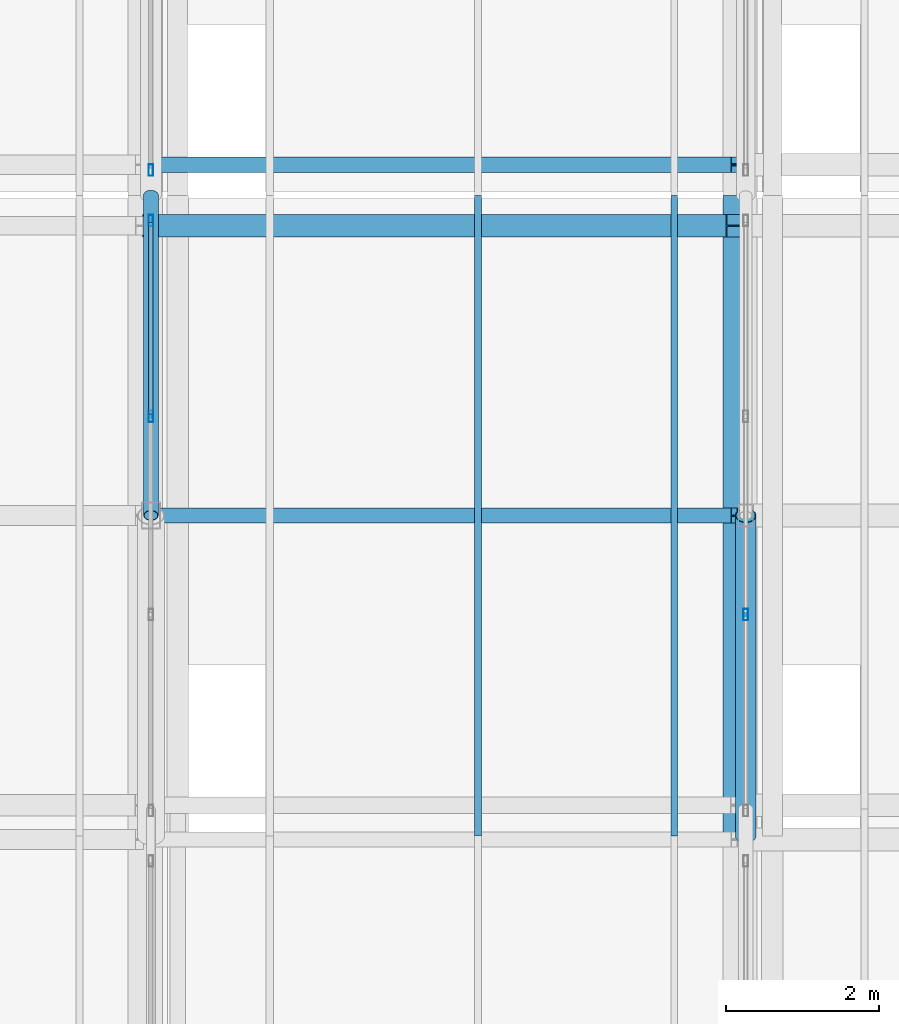
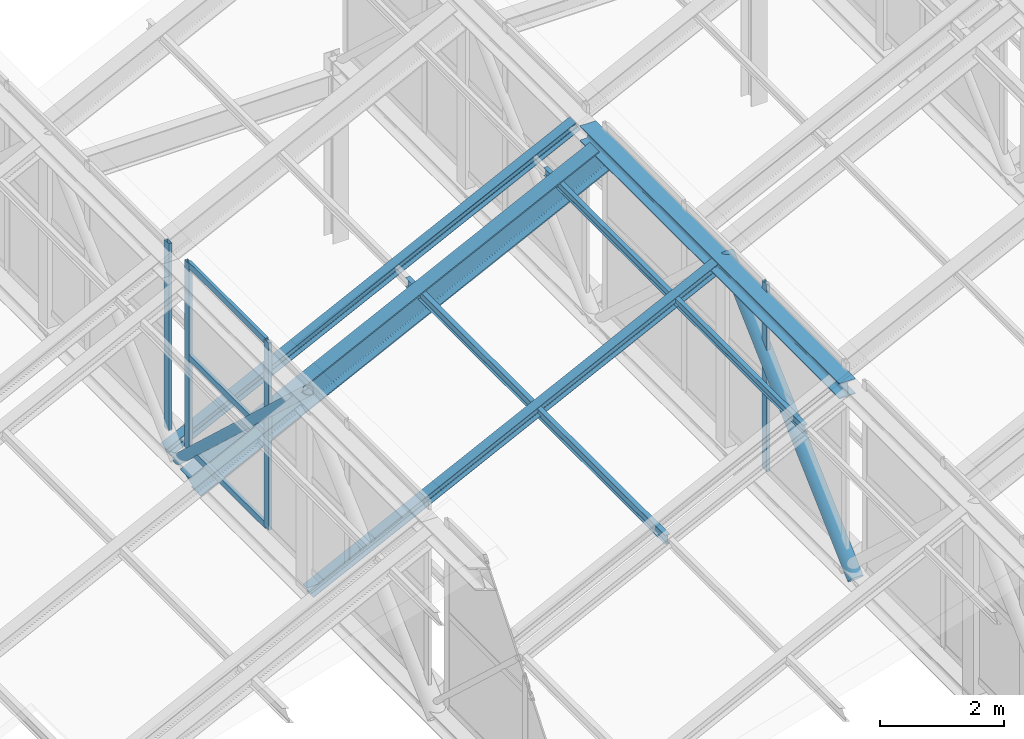
# One storey, part 30 of 101: 15 members, 3 elements without a shape of their own.
"""IFC4 building model written with IfcOpenShell, lengths in metres."""

from ifc_helpers import new_model, si_unit, direction, frame, origin, origin_2d, place, context, subcontext, project, spatial, hollow_rectangle, hollow_circle, i_section, extrude, material, layer, layer_set, material_profile, profile_set, type_object, element, aggregate, save


model = new_model("IFC4")

# Units and contexts
model_context = context("Model", 3, precision=1e-05, world=origin(), true_north=direction((0.0, 1.0)))
body_context = subcontext(model_context, "Body", "Model", "MODEL_VIEW")
ifc_project = project(units=[si_unit("LENGTHUNIT", "METRE"), si_unit("AREAUNIT", "SQUARE_METRE"), si_unit("VOLUMEUNIT", "CUBIC_METRE"), si_unit("PLANEANGLEUNIT", "RADIAN"), si_unit("MASSUNIT", "GRAM", prefix="KILO")], contexts=[model_context])

# Site, building, storey
site_placement = place(None, origin())
site = spatial("IfcSite", under=ifc_project, at=site_placement, CompositionType="ELEMENT")
building_placement = place(site_placement, origin())
building = spatial("IfcBuilding", under=site, at=building_placement, Name="Zizhar Promenade General Hospital", CompositionType="ELEMENT")
storey_placement = place(building_placement, frame((0.0, 0.0, 14.39990234375)))
storey = spatial("IfcBuildingStorey", under=building, at=storey_placement, Name="L03", CompositionType="ELEMENT", Elevation=14.39990234375)

# Curtain wall, members
ifc_material_1 = material(Name="Anodised aluminium 6063-T6 and low-E glass", Category="aluminium")
ifc_layer_1 = layer(ifc_material_1, 0.159912109375)
ifc_layer_set_1 = layer_set([ifc_layer_1], Name="Anodised aluminium 6063-T6 and low-E glass")
curtain_wall_type_1 = type_object("IfcCurtainWallType", Name="CW-SAW-NL2", PredefinedType="NOTDEFINED", material=ifc_layer_set_1)
curtain_wall_1_placement = place(storey_placement, origin())
curtain_wall_1 = element("IfcCurtainWall", 1, at=curtain_wall_1_placement, inside=storey, type_object=curtain_wall_type_1, Name="Sawtooth Clerestory Light B3-S2", PredefinedType="NOTDEFINED")
ifc_material_2 = material(Name="Anodised aluminium 6063-T6", Category="aluminium")
ifc_material_profile_1 = material_profile(ifc_material_2, hollow_rectangle(XDim=0.06005859375, YDim=0.14990234375, WallThickness=0.00390625, at=origin_2d()))
ifc_profile_set_1 = profile_set([ifc_material_profile_1], Name="Anodised aluminium 6063-T6")
member_type_1 = type_object("IfcMemberType", Name="CWM-ALU-150x60", PredefinedType="MULLION", material=ifc_profile_set_1)
member_1_placement = place(storey_placement, frame((93.60009765625, 39.10009765625, 3.85009765625), z_axis=(0.0, 0.0, 1.0), x_axis=(-1.0, 0.0, 0.0)))
member_1 = element("IfcMember", 2, at=member_1_placement, type_object=member_type_1, Name="CW-04 mullion 3", PredefinedType="MULLION", context=body_context, shape_type="SweptSolid", body=[
    extrude(hollow_rectangle(XDim=0.06005859375, YDim=0.14990234375, WallThickness=0.00390625, at=origin_2d()), origin(), (0.0, 0.0, 1.0), 3.699951171875),
])
member_2_placement = place(storey_placement, frame((93.60009765625, 41.669921875, 3.85009765625), z_axis=(0.0, 0.0, 1.0), x_axis=(-1.0, 0.0, 0.0)))
member_2 = element("IfcMember", 3, at=member_2_placement, type_object=member_type_1, Name="CW-04 mullion 4", PredefinedType="MULLION", context=body_context, shape_type="SweptSolid", body=[
    extrude(hollow_rectangle(XDim=0.06005859375, YDim=0.14990234375, WallThickness=0.00390625, at=origin_2d()), origin(), (0.0, 0.0, 1.0), 3.699951171875),
])

# Curtain wall, member
ifc_material_3 = material(Name="Anodised aluminium 6063-T6 and low-E glass", Category="aluminium")
ifc_layer_2 = layer(ifc_material_3, 0.159912109375)
ifc_layer_set_2 = layer_set([ifc_layer_2], Name="Anodised aluminium 6063-T6 and low-E glass")
curtain_wall_type_2 = type_object("IfcCurtainWallType", Name="CW-SAW-NL3", PredefinedType="NOTDEFINED", material=ifc_layer_set_2)
curtain_wall_2_placement = place(storey_placement, origin())
curtain_wall_2 = element("IfcCurtainWall", 4, at=curtain_wall_2_placement, inside=storey, type_object=curtain_wall_type_2, Name="Sawtooth Clerestory Light B3-S3", PredefinedType="NOTDEFINED")
member_3_placement = place(storey_placement, frame((93.60009765625, 42.330078125, 3.85009765625), z_axis=(0.0, 0.0, 1.0), x_axis=(-1.0, 0.0, 0.0)))
member_3 = element("IfcMember", 5, at=member_3_placement, type_object=member_type_1, Name="CW-05 mullion 1", PredefinedType="MULLION", context=body_context, shape_type="SweptSolid", body=[
    extrude(hollow_rectangle(XDim=0.06005859375, YDim=0.14990234375, WallThickness=0.00390625, at=origin_2d()), origin(), (0.0, 0.0, 1.0), 3.699951171875),
])
aggregate(curtain_wall_2, [member_3])

curtain_wall_3_placement = place(storey_placement, origin())
curtain_wall_3 = element("IfcCurtainWall", 6, at=curtain_wall_3_placement, inside=storey, type_object=curtain_wall_type_1, Name="Sawtooth Clerestory Light B4-S2", PredefinedType="NOTDEFINED")
member_4_placement = place(storey_placement, frame((101.39990234375, 36.5, 3.85009765625), z_axis=(0.0, 0.0, 1.0), x_axis=(-1.0, 0.0, 0.0)))
member_4 = element("IfcMember", 7, at=member_4_placement, type_object=member_type_1, Name="CW-04 mullion 2", PredefinedType="MULLION", context=body_context, shape_type="SweptSolid", body=[
    extrude(hollow_rectangle(XDim=0.06005859375, YDim=0.14990234375, WallThickness=0.00390625, at=origin_2d()), origin(), (0.0, 0.0, 1.0), 3.699951171875),
])
aggregate(curtain_wall_3, [member_4])

# Member
ifc_material_4 = material(Name="Anodised aluminium 6063-T6", Category="aluminium")
ifc_material_profile_2 = material_profile(ifc_material_4, hollow_rectangle(XDim=0.06005859375, YDim=0.1201171875, WallThickness=0.00390625, at=origin_2d()))
ifc_profile_set_2 = profile_set([ifc_material_profile_2], Name="Anodised aluminium 6063-T6")
member_type_2 = type_object("IfcMemberType", Name="CWT-ALU-120x60", PredefinedType="USERDEFINED", material=ifc_profile_set_2)
member_5_placement = place(storey_placement, frame((93.60009765625, 39.1298828125, 3.880126953125), z_axis=(0.0, 1.0, 0.0), x_axis=(-1.0, 0.0, 0.0)))
member_5 = element("IfcMember", 8, at=member_5_placement, type_object=member_type_2, Name="CW-04 transom 3.1", ObjectType="TRANSOM", PredefinedType="USERDEFINED", context=body_context, shape_type="SweptSolid", body=[
    extrude(hollow_rectangle(XDim=0.06005859375, YDim=0.1201171875, WallThickness=0.00390625, at=origin_2d()), origin(), (0.0, 0.0, 1.0), 2.510009765625),
])

member_6_placement = place(storey_placement, frame((93.60009765625, 39.1298828125, 5.7001953125), z_axis=(0.0, 1.0, 0.0), x_axis=(-1.0, 0.0, 0.0)))
member_6 = element("IfcMember", 9, at=member_6_placement, type_object=member_type_2, Name="CW-04 transom 3.2", ObjectType="TRANSOM", PredefinedType="USERDEFINED", context=body_context, shape_type="SweptSolid", body=[
    extrude(hollow_rectangle(XDim=0.06005859375, YDim=0.1201171875, WallThickness=0.00390625, at=origin_2d()), origin(), (0.0, 0.0, 1.0), 2.510009765625),
])

member_7_placement = place(storey_placement, frame((93.60009765625, 39.1298828125, 7.52001953125), z_axis=(0.0, 1.0, 0.0), x_axis=(-1.0, 0.0, 0.0)))
member_7 = element("IfcMember", 10, at=member_7_placement, type_object=member_type_2, Name="CW-04 transom 3.3", ObjectType="TRANSOM", PredefinedType="USERDEFINED", context=body_context, shape_type="SweptSolid", body=[
    extrude(hollow_rectangle(XDim=0.06005859375, YDim=0.1201171875, WallThickness=0.00390625, at=origin_2d()), origin(), (0.0, 0.0, 1.0), 2.510009765625),
])

aggregate(curtain_wall_1, [member_1, member_2, member_5, member_6, member_7])

# Members
ifc_material_5 = material(Name="Steel S355", Category="steel")
ifc_material_profile_3 = material_profile(ifc_material_5, i_section(OverallWidth=0.300048828125, OverallDepth=0.300048828125, WebThickness=0.010986328125, FlangeThickness=0.01904296875, FilletRadius=0.027099609375, at=origin_2d()))
ifc_profile_set_3 = profile_set([ifc_material_profile_3], Name="Steel S355")
member_type_3 = type_object("IfcMemberType", Name="MEM-CHORD-HEB300", PredefinedType="CHORD", material=ifc_profile_set_3)
member_8_placement = place(storey_placement, frame((101.25, 33.60009765625, 7.25), z_axis=(0.0, 1.0, 0.0), x_axis=(-1.0, 0.0, 0.0)))
element("IfcMember", 11, at=member_8_placement, inside=storey, type_object=member_type_3, Name="Sawtooth Bay 4 Ridge Chord 2", PredefinedType="CHORD", context=body_context, shape_type="SweptSolid", body=[
    extrude(i_section(OverallWidth=0.300048828125, OverallDepth=0.300048828125, WebThickness=0.010986328125, FlangeThickness=0.01904296875, FilletRadius=0.027099609375, at=origin_2d()), origin(), (0.0, 0.0, 1.0), 8.39990234375),
])
ifc_material_6 = material(Name="Steel S355", Category="steel")
ifc_material_profile_4 = material_profile(ifc_material_6, hollow_circle(Radius=0.096923828125, WallThickness=0.008056640625, at=origin_2d()))
ifc_profile_set_4 = profile_set([ifc_material_profile_4], Name="Steel S355")
member_type_4 = type_object("IfcMemberType", Name="MEM-DIAG-CHS194", PredefinedType="BRACE", material=ifc_profile_set_4)
member_9_placement = place(storey_placement, frame((93.60009765625, 42.0, 3.4501953125), z_axis=(0.0, -0.732798043082, 0.680446197767), x_axis=(1.0, 0.0, 0.0)))
element("IfcMember", 12, at=member_9_placement, inside=storey, type_object=member_type_4, Name="Sawtooth Truss Frame 4 Diagonal B2", PredefinedType="BRACE", context=body_context, shape_type="SweptSolid", body=[
    extrude(hollow_circle(Radius=0.096923828125, WallThickness=0.008056640625, at=origin_2d()), origin(), (0.0, 0.0, 1.0), 5.7314453125),
])
ifc_material_7 = material(Name="Steel S355", Category="steel")
ifc_material_profile_5 = material_profile(ifc_material_7, hollow_circle(Radius=0.136474609375, WallThickness=0.010009765625, at=origin_2d()))
ifc_profile_set_5 = profile_set([ifc_material_profile_5], Name="Steel S355")
member_type_5 = type_object("IfcMemberType", Name="MEM-DIAG-CHS273", PredefinedType="BRACE", material=ifc_profile_set_5)
member_10_placement = place(storey_placement, frame((101.39990234375, 33.60009765625, 3.4501953125), z_axis=(0.0, 0.732798043082, 0.680446197767), x_axis=(-1.0, 0.0, 0.0)))
element("IfcMember", 13, at=member_10_placement, inside=storey, type_object=member_type_5, Name="Sawtooth Truss Frame 5 Diagonal A2", PredefinedType="BRACE", context=body_context, shape_type="SweptSolid", body=[
    extrude(hollow_circle(Radius=0.136474609375, WallThickness=0.010009765625, at=origin_2d()), origin(), (0.0, 0.0, 1.0), 5.7314453125),
])
ifc_material_8 = material(Name="Steel S355", Category="steel")
ifc_material_profile_6 = material_profile(ifc_material_8, i_section(OverallWidth=0.08203125, OverallDepth=0.159912109375, WebThickness=0.0048828125, FlangeThickness=0.00732421875, FilletRadius=0.009033203125, at=origin_2d()))
ifc_profile_set_6 = profile_set([ifc_material_profile_6], Name="Steel S355")
member_type_6 = type_object("IfcMemberType", Name="MEM-PURL-IPE160", PredefinedType="PURLIN", material=ifc_profile_set_6)
member_11_placement = place(storey_placement, frame((100.464111328125, 33.60009765625, 6.735107421875), z_axis=(0.0, 1.0, 0.0), x_axis=(-1.0, 0.0, 0.0)))
element("IfcMember", 14, at=member_11_placement, inside=storey, type_object=member_type_6, Name="Sawtooth Bay 4 Purlin 2-3", PredefinedType="PURLIN", context=body_context, shape_type="SweptSolid", body=[
    extrude(i_section(OverallWidth=0.08203125, OverallDepth=0.159912109375, WebThickness=0.0048828125, FlangeThickness=0.00732421875, FilletRadius=0.009033203125, at=origin_2d()), origin(), (0.0, 0.0, 1.0), 8.39990234375),
])
ifc_material_9 = material(Name="Steel S355", Category="steel")
ifc_material_profile_7 = material_profile(ifc_material_9, i_section(OverallWidth=0.091064453125, OverallDepth=0.179931640625, WebThickness=0.00537109375, FlangeThickness=0.008056640625, FilletRadius=0.009033203125, at=origin_2d()))
ifc_profile_set_7 = profile_set([ifc_material_profile_7], Name="Steel S355")
member_type_7 = type_object("IfcMemberType", Name="MEM-PURL-IPE180", PredefinedType="PURLIN", material=ifc_profile_set_7)
member_12_placement = place(storey_placement, frame((97.889892578125, 33.60009765625, 5.45458984375), z_axis=(0.0, 1.0, 0.0), x_axis=(-1.0, 0.0, 0.0)))
element("IfcMember", 15, at=member_12_placement, inside=storey, type_object=member_type_7, Name="Sawtooth Bay 4 Purlin 2-2", PredefinedType="PURLIN", context=body_context, shape_type="SweptSolid", body=[
    extrude(i_section(OverallWidth=0.091064453125, OverallDepth=0.179931640625, WebThickness=0.00537109375, FlangeThickness=0.008056640625, FilletRadius=0.009033203125, at=origin_2d()), origin(), (0.0, 0.0, 1.0), 8.39990234375),
])
ifc_material_10 = material(Name="Steel S355", Category="steel")
ifc_material_profile_8 = material_profile(ifc_material_10, i_section(OverallWidth=0.199951171875, OverallDepth=0.18994140625, WebThickness=0.006591796875, FlangeThickness=0.010009765625, FilletRadius=0.01806640625, at=origin_2d()))
ifc_profile_set_8 = profile_set([ifc_material_profile_8], Name="Steel S355")
member_type_8 = type_object("IfcMemberType", Name="MEM-RAFT-HEA200", PredefinedType="RAFTER", material=ifc_profile_set_8)
for number, where, z_axis, x_axis, name in (
    (16, (93.60009765625, 37.800048828125, 3.38720703125), (0.896704881356, 0.0, 0.442628914276), (0.0, 1.0, 0.0), "Sawtooth Bay 4 Rafter 2-2"),
    (17, (93.60009765625, 42.39990234375, 3.38720703125), (0.896704881356, 0.0, 0.442628914276), (0.0, 1.0, 0.0), "Sawtooth Bay 4 Rafter 3-1"),
):
    element("IfcMember", number, at=place(storey_placement, frame(where, z_axis=z_axis, x_axis=x_axis)), inside=storey, type_object=member_type_8, Name=name, PredefinedType="RAFTER", context=body_context, shape_type="SweptSolid", body=[
        extrude(i_section(OverallWidth=0.199951171875, OverallDepth=0.18994140625, WebThickness=0.006591796875, FlangeThickness=0.010009765625, FilletRadius=0.01806640625, at=origin_2d()), origin(), (0.0, 0.0, 1.0), 8.531005859375),
    ])
ifc_material_11 = material(Name="Steel S355", Category="steel")
ifc_material_profile_9 = material_profile(ifc_material_11, i_section(OverallWidth=0.300048828125, OverallDepth=0.489990234375, WebThickness=0.011962890625, FlangeThickness=0.02294921875, FilletRadius=0.027099609375, at=origin_2d()))
ifc_profile_set_9 = profile_set([ifc_material_profile_9], Name="Steel S355")
member_type_9 = type_object("IfcMemberType", Name="MEM-RAFT-HEA500", PredefinedType="RAFTER", material=ifc_profile_set_9)
member_13_placement = place(storey_placement, frame((93.60009765625, 41.60009765625, 3.219970703125), z_axis=(0.896704881356, 0.0, 0.442628914276), x_axis=(0.0, 1.0, 0.0)))
element("IfcMember", 18, at=member_13_placement, inside=storey, type_object=member_type_9, Name="Sawtooth Bay 4 Rafter 2-3", PredefinedType="RAFTER", context=body_context, shape_type="SweptSolid", body=[
    extrude(i_section(OverallWidth=0.300048828125, OverallDepth=0.489990234375, WebThickness=0.011962890625, FlangeThickness=0.02294921875, FilletRadius=0.027099609375, at=origin_2d()), origin(), (0.0, 0.0, 1.0), 8.531005859375),
])

save(model, "model.ifc")
